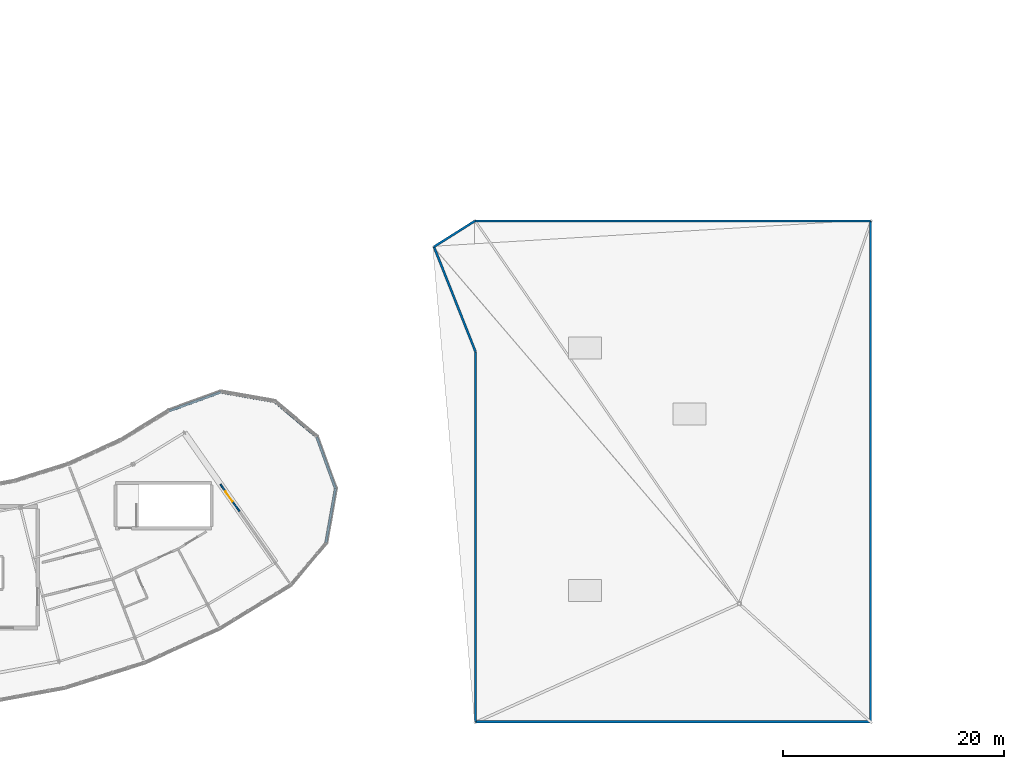
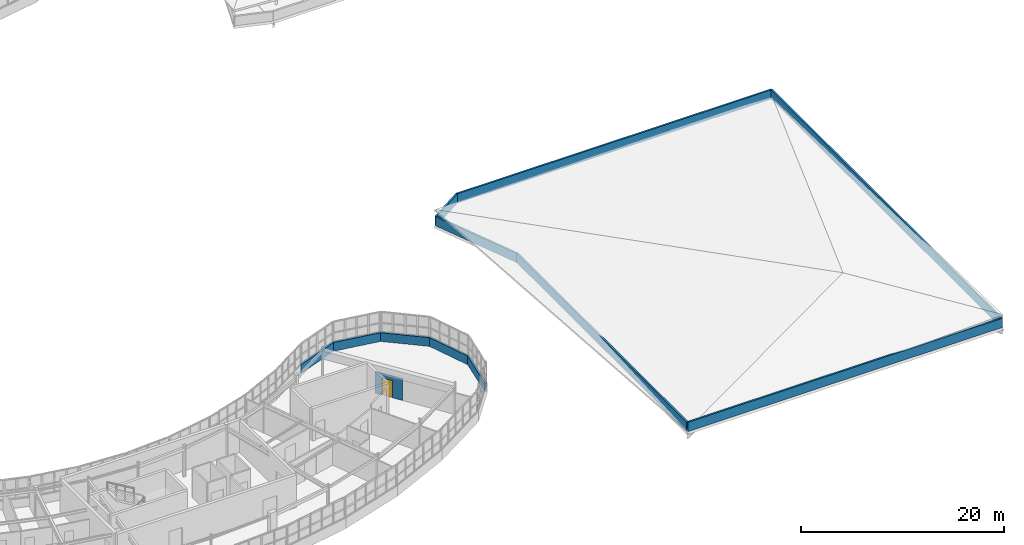
# One storey, part 67 of 79: 12 walls, 1 door, 1 opening.
"""IFC4 building model written with IfcOpenShell, lengths in metres."""

from ifc_helpers import new_model, si_unit, direction, frame, frame_2d, origin, place, context, subcontext, project, spatial, rectangle, extrude, material, layer, layer_set, type_object, element, fill, save


model = new_model("IFC4")

# Units and contexts
model_context = context("Model", 3, precision=1e-05, world=origin(), true_north=direction((0.0, 1.0)))
body_context = subcontext(model_context, "Body", "Model", "MODEL_VIEW")
ifc_project = project(units=[si_unit("LENGTHUNIT", "METRE"), si_unit("AREAUNIT", "SQUARE_METRE"), si_unit("VOLUMEUNIT", "CUBIC_METRE"), si_unit("PLANEANGLEUNIT", "RADIAN"), si_unit("MASSUNIT", "GRAM", prefix="KILO")], contexts=[model_context])

# Site, building, storey
site_placement = place(None, origin())
site = spatial("IfcSite", under=ifc_project, at=site_placement, CompositionType="ELEMENT")
building_placement = place(site_placement, origin())
building = spatial("IfcBuilding", under=site, at=building_placement, Name="Tarnwether General Hospital", CompositionType="ELEMENT")
storey_placement = place(building_placement, frame((0.0, 0.0, 18.300048828125)))
storey = spatial("IfcBuildingStorey", under=building, at=storey_placement, Name="L04", CompositionType="ELEMENT", Elevation=18.300048828125)

# Walls
ifc_material_1 = material(Name="Streamlined white enamelled aluminium", Category="aluminium")
ifc_layer_1 = layer(ifc_material_1, 0.219970703125)
ifc_layer_set_1 = layer_set([ifc_layer_1], Name="Streamlined white enamelled aluminium")
wall_type_1 = type_object("IfcWallType", Name="WL-EX220", PredefinedType="STANDARD", material=ifc_layer_set_1)
wall_1_placement = place(storey_placement, frame((131.388916015625, 21.240966796875, 0.0), z_axis=(0.0, 0.0, 1.0), x_axis=(-0.173426579259, -0.984846801085, 0.0)))
element("IfcWall", 1, at=wall_1_placement, inside=storey, type_object=wall_type_1, Name="Ward SE Streamlined White Spandrel EW-L04-0198", PredefinedType="STANDARD", context=body_context, shape_type="SweptSolid", body=[
    extrude(rectangle(XDim=4.96923828125, YDim=0.219970703125, at=frame_2d((2.484619140625, 0.0))), origin(), (0.0, 0.0, 1.0), 1.050048828125),
])
wall_2_placement = place(storey_placement, frame((129.68994140625, 25.909912109375, 0.0), z_axis=(0.0, 0.0, 1.0), x_axis=(0.341952160632, -0.939717361678, 0.0)))
element("IfcWall", 2, at=wall_2_placement, inside=storey, type_object=wall_type_1, Name="Ward SE Streamlined White Spandrel EW-L04-0199", PredefinedType="STANDARD", context=body_context, shape_type="SweptSolid", body=[
    extrude(rectangle(XDim=4.968505859375, YDim=0.219970703125, at=frame_2d((2.484375, 0.0))), origin(), (0.0, 0.0, 1.0), 1.050048828125),
])
wall_3_placement = place(storey_placement, frame((125.883056640625, 29.10498046875, 0.0), z_axis=(0.0, 0.0, 1.0), x_axis=(0.765973821879, -0.642871763415, 0.0)))
element("IfcWall", 3, at=wall_3_placement, inside=storey, type_object=wall_type_1, Name="Ward SE Streamlined White Spandrel EW-L04-0200", PredefinedType="STANDARD", context=body_context, shape_type="SweptSolid", body=[
    extrude(rectangle(XDim=4.969970703125, YDim=0.219970703125, at=frame_2d((2.48486328125, 0.0))), origin(), (0.0, 0.0, 1.0), 1.050048828125),
])
wall_4_placement = place(storey_placement, frame((120.989013671875, 29.968017578125, 0.0), z_axis=(0.0, 0.0, 1.0), x_axis=(0.984804817938, -0.173664822479, 0.0)))
element("IfcWall", 4, at=wall_4_placement, inside=storey, type_object=wall_type_1, Name="Ward SE Streamlined White Spandrel EW-L04-0201", PredefinedType="STANDARD", context=body_context, shape_type="SweptSolid", body=[
    extrude(rectangle(XDim=4.969482421875, YDim=0.219970703125, at=frame_2d((2.48486328125, 0.0))), origin(), (0.0, 0.0, 1.0), 1.050048828125),
])
wall_5_placement = place(storey_placement, frame((116.320068359375, 28.26806640625, 0.0), z_axis=(0.0, 0.0, 1.0), x_axis=(0.939654190044, 0.34212571247, 0.0)))
element("IfcWall", 5, at=wall_5_placement, inside=storey, type_object=wall_type_1, Name="Ward SE Streamlined White Spandrel EW-L04-0202", PredefinedType="STANDARD", context=body_context, shape_type="SweptSolid", body=[
    extrude(rectangle(XDim=4.96875, YDim=0.219970703125, at=frame_2d((2.484375, 0.0))), origin(), (0.0, 0.0, 1.0), 1.050048828125),
])
ifc_material_2 = material(Name="Precast concrete 40 MPa", Category="concrete")
ifc_layer_2 = layer(ifc_material_2, 0.199951171875)
ifc_layer_set_2 = layer_set([ifc_layer_2], Name="Precast concrete 40 MPa")
wall_type_2 = type_object("IfcWallType", Name="WL-PR200", PredefinedType="PARAPET", material=ifc_layer_set_2)
wall_6_placement = place(storey_placement, frame((144.10009765625, 0.10009765625, 0.329833984375), z_axis=(0.0, 0.0, 1.0), x_axis=(0.0, 1.0, 0.0)))
element("IfcWall", 6, at=wall_6_placement, inside=storey, type_object=wall_type_2, Name="Flat Roof Parapet EW-L04-0369", PredefinedType="PARAPET", context=body_context, shape_type="SweptSolid", body=[
    extrude(rectangle(XDim=33.5, YDim=0.199951171875, at=frame_2d((16.75, 0.0))), origin(), (0.0, 0.0, 1.0), 1.1201171875),
])
wall_7_placement = place(storey_placement, frame((144.093017578125, 33.636962890625, 0.329833984375), z_axis=(0.0, 0.0, 1.0), x_axis=(-0.368092242855, 0.929789277606, 0.0)))
element("IfcWall", 7, at=wall_7_placement, inside=storey, type_object=wall_type_2, Name="Flat Roof Parapet EW-L04-0370", PredefinedType="PARAPET", context=body_context, shape_type="SweptSolid", body=[
    extrude(rectangle(XDim=10.241943359375, YDim=0.199951171875, at=frame_2d((5.12109375, 0.0))), origin(), (0.0, 0.0, 1.0), 1.1201171875),
])
wall_8_placement = place(storey_placement, frame((140.322998046875, 43.159912109375, 0.329833984375), z_axis=(0.0, 0.0, 1.0), x_axis=(0.84554845975, 0.533898681601, 0.0)))
element("IfcWall", 8, at=wall_8_placement, inside=storey, type_object=wall_type_2, Name="Flat Roof Parapet EW-L04-0371", PredefinedType="PARAPET", context=body_context, shape_type="SweptSolid", body=[
    extrude(rectangle(XDim=4.383056640625, YDim=0.199951171875, at=frame_2d((2.19140625, 0.0))), origin(), (0.0, 0.0, 1.0), 1.1201171875),
])
wall_9_placement = place(storey_placement, frame((144.029052734375, 45.5, 0.329833984375), z_axis=(0.0, 0.0, 1.0), x_axis=(1.0, 0.0, 0.0)))
element("IfcWall", 9, at=wall_9_placement, inside=storey, type_object=wall_type_2, Name="Flat Roof Parapet EW-L04-0372", PredefinedType="PARAPET", context=body_context, shape_type="SweptSolid", body=[
    extrude(rectangle(XDim=35.870849609375, YDim=0.199951171875, at=frame_2d((17.935546875, 0.0))), origin(), (0.0, 0.0, 1.0), 1.1201171875),
])
wall_10_placement = place(storey_placement, frame((179.89990234375, 45.5, 0.329833984375), z_axis=(0.0, 0.0, 1.0), x_axis=(0.0, -1.0, 0.0)))
element("IfcWall", 10, at=wall_10_placement, inside=storey, type_object=wall_type_2, Name="Flat Roof Parapet EW-L04-0373", PredefinedType="PARAPET", context=body_context, shape_type="SweptSolid", body=[
    extrude(rectangle(XDim=45.39990234375, YDim=0.199951171875, at=frame_2d((22.699951171875, 0.0))), origin(), (0.0, 0.0, 1.0), 1.1201171875),
])
wall_11_placement = place(storey_placement, frame((179.89990234375, 0.10009765625, 0.329833984375), z_axis=(0.0, 0.0, 1.0), x_axis=(-1.0, 0.0, 0.0)))
element("IfcWall", 11, at=wall_11_placement, inside=storey, type_object=wall_type_2, Name="Flat Roof Parapet EW-L04-0374", PredefinedType="PARAPET", context=body_context, shape_type="SweptSolid", body=[
    extrude(rectangle(XDim=35.7998046875, YDim=0.199951171875, at=frame_2d((17.89990234375, 0.0))), origin(), (0.0, 0.0, 1.0), 1.1201171875),
])

# Wall, opening, door
ifc_material_3 = material(Name="Gypsum plasterboard")
ifc_layer_3 = layer(ifc_material_3, 0.139892578125)
ifc_layer_set_3 = layer_set([ifc_layer_3], Name="Gypsum plasterboard")
wall_type_3 = type_object("IfcWallType", Name="WL-PT140", PredefinedType="PARTITIONING", material=ifc_layer_set_3)
wall_12_placement = place(storey_placement, frame((120.966064453125, 21.633056640625, 0.0), z_axis=(0.0, 0.0, 1.0), x_axis=(0.573320330817, -0.819331311663, 0.0)))
wall_12 = element("IfcWall", 12, at=wall_12_placement, inside=storey, type_object=wall_type_3, Name="Interior Partition PT-L04-0424", PredefinedType="PARTITIONING", context=body_context, shape_type="SweptSolid", body=[
    extrude(rectangle(XDim=3.0, YDim=0.139892578125, at=frame_2d((1.5, 0.0))), origin(), (0.0, 0.0, 1.0), 2.574951171875),
])
opening_placement = place(wall_12_placement, frame((0.800048828125, 0.0, 0.0)))
opening = element("IfcOpeningElement", 13, at=opening_placement, cuts=wall_12, Name="Opening D-07", PredefinedType="OPENING", context=body_context, shape_type="SweptSolid", body=[
    extrude(rectangle(XDim=1.1201171875, YDim=2.080078125, at=frame_2d((0.56005859375, 1.0400390625))), frame((0.0, 0.080078125, 0.0), z_axis=(0.0, -1.0, 0.0), x_axis=(1.0, 0.0, 0.0)), (0.0, 0.0, 1.0), 0.159912109375),
])
ifc_material_4 = material(Name="Anodised aluminium", Category="aluminium")
door_type = type_object("IfcDoorType", Name="DR-IN07", OperationType="NOTDEFINED", PredefinedType="DOOR", material=ifc_material_4)
door_placement = place(opening_placement, origin())
door = element("IfcDoor", 14, at=door_placement, inside=storey, type_object=door_type, Name="Interior Door DR-L04-0235", OperationType="SINGLE_SWING_LEFT", OverallHeight=2.080078125, OverallWidth=1.1201171875, PredefinedType="DOOR", context=body_context, shape_type="SweptSolid", body=[
    extrude(rectangle(XDim=1.1201171875, YDim=2.080078125, at=frame_2d((0.56005859375, 1.0400390625))), frame((0.0, 0.02490234375, 0.0), z_axis=(0.0, -1.0, 0.0), x_axis=(1.0, 0.0, 0.0)), (0.0, 0.0, 1.0), 0.050048828125),
])
fill(opening, door)

save(model, "model.ifc")
